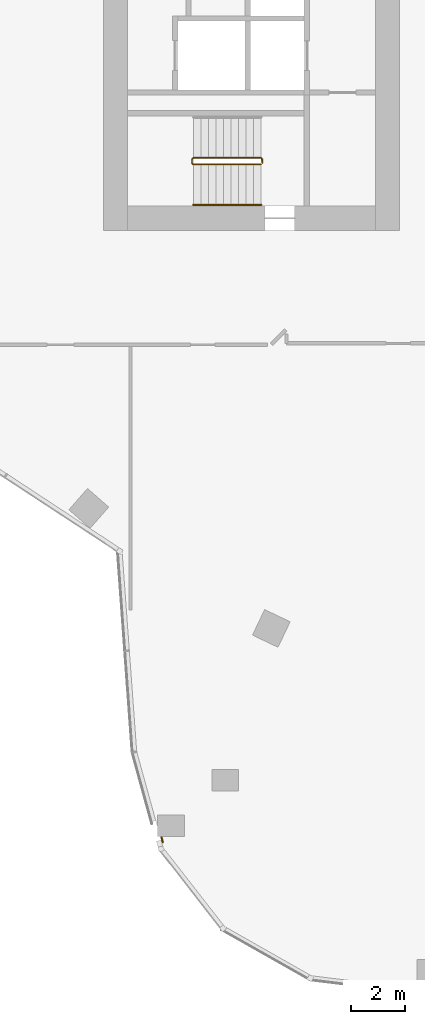
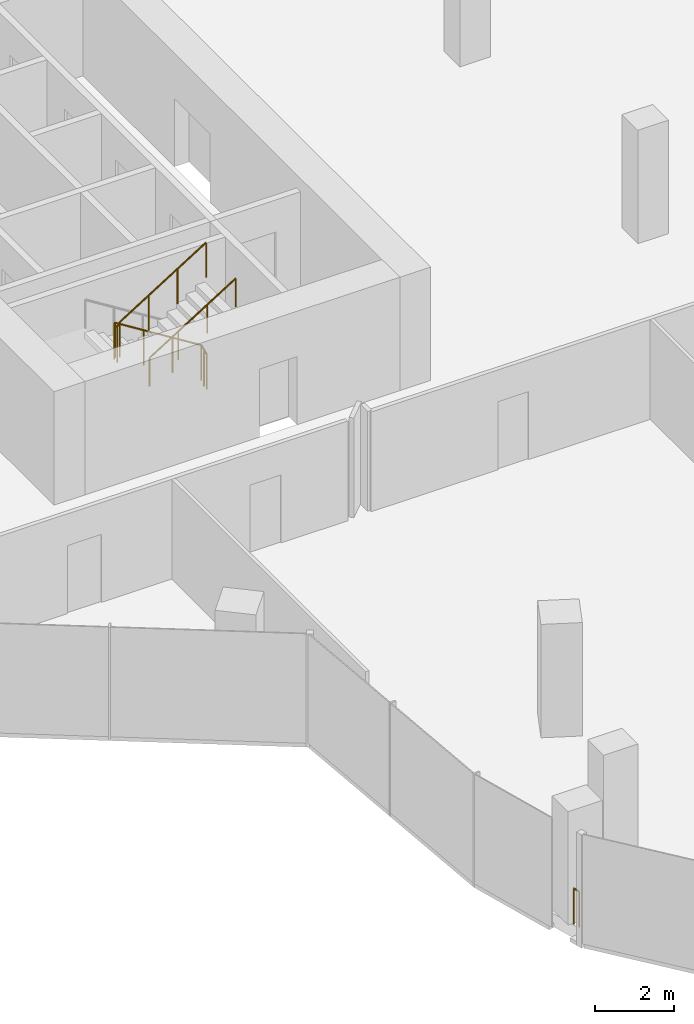
# One storey, part 22 of 24: 3 railings.
"""IFC4 building model written with IfcOpenShell, lengths in metres."""

import ifcopenshell
import ifcopenshell.guid

model = None  # the IFC model being written
_history = None  # IfcOwnerHistory: only IFC2X3 demands one
_inside = {}  # id of a spatial element -> (the spatial element, [elements in it])
_under = {}  # id of a project, library or spatial element -> (it, [spatial elements below it])
_declared = {}  # id of a project -> (the project, [libraries it declares])
_typed = {}  # id of a type object -> (the type object, [elements of that type])
_made_of = {}  # id of a material, layer set ... -> (it, [elements and type objects made of it])


def new_model(schema):
    """Start an empty IFC model of exactly this schema.

    Asked for "IFC4X3", IfcOpenShell would pick the latest addendum, in which some entities
    have other attributes; the version numbers below select the first issue.
    IFC2X3 requires an IfcOwnerHistory on every rooted entity: one is made here for all.
    """
    global model, _history
    if schema == "IFC4X3":
        model = ifcopenshell.file(schema_version=(4, 3, 0, 0))
    else:
        model = ifcopenshell.file(schema=schema)
    _inside.clear()
    _under.clear()
    _declared.clear()
    _typed.clear()
    _made_of.clear()
    _history = None
    if model.schema == "IFC2X3":
        org = make("IfcOrganization", Name="unknown")
        user = make(
            "IfcPersonAndOrganization",
            ThePerson=make("IfcPerson", FamilyName="unknown"),
            TheOrganization=org,
        )
        app = make(
            "IfcApplication",
            ApplicationDeveloper=org,
            Version="unknown",
            ApplicationFullName="unknown",
            ApplicationIdentifier="unknown",
        )
        _history = make(
            "IfcOwnerHistory",
            OwningUser=user,
            OwningApplication=app,
            ChangeAction="ADDED",
            CreationDate=0,
        )
    return model


def make(cls, **values):
    """One entity of the class cls with the attributes given. An attribute that is None is left unset."""
    return model.create_entity(
        cls, **{name: value for name, value in values.items() if value is not None}
    )


def rooted(cls, **values):
    """An entity with a GlobalId (a new one), such as an element, a storey or a relation."""
    return make(cls, GlobalId=ifcopenshell.guid.new(), OwnerHistory=_history, **values)


def si_unit(unit_type, name, prefix=None):
    """IfcSIUnit, for example si_unit("LENGTHUNIT", "METRE", prefix="MILLI")."""
    return make("IfcSIUnit", UnitType=unit_type, Prefix=prefix, Name=name)


def assignment(units):
    """IfcUnitAssignment: the units of a project."""
    return None if units is None else make("IfcUnitAssignment", Units=units)


def point(xyz):
    """IfcCartesianPoint."""
    return None if xyz is None else make("IfcCartesianPoint", Coordinates=xyz)


def direction(xyz):
    """IfcDirection."""
    return None if xyz is None else make("IfcDirection", DirectionRatios=xyz)


def frame(location, z_axis=None, x_axis=None):
    """IfcAxis2Placement3D, a coordinate frame: its origin and axes. An axis left out is left unset."""
    return make(
        "IfcAxis2Placement3D",
        Location=point(location),
        Axis=direction(z_axis),
        RefDirection=direction(x_axis),
    )


def frame_2d(location, x_axis=None):
    """IfcAxis2Placement2D, a coordinate frame in the plane: its origin and x axis."""
    return make(
        "IfcAxis2Placement2D", Location=point(location), RefDirection=direction(x_axis)
    )


def origin():
    """The frame at (0, 0, 0) with its axes left unset."""
    return frame((0.0, 0.0, 0.0))


def origin_2d():
    """The frame at (0, 0) in the plane with its x axis left unset."""
    return frame_2d((0.0, 0.0))


def place(relative_to, where):
    """IfcLocalPlacement: puts the frame where relative to a parent placement (None: the world)."""
    return make(
        "IfcLocalPlacement", PlacementRelTo=relative_to, RelativePlacement=where
    )


def context(
    kind, dimensions, precision=None, world=None, true_north=None, identifier=None
):
    """IfcGeometricRepresentationContext, for example the 3D "Model" context."""
    return make(
        "IfcGeometricRepresentationContext",
        ContextIdentifier=identifier,
        ContextType=kind,
        CoordinateSpaceDimension=dimensions,
        Precision=precision,
        WorldCoordinateSystem=world,
        TrueNorth=true_north,
    )


def subcontext(parent, identifier, kind, view, scale=None):
    """IfcGeometricRepresentationSubContext, for example "Body" below "Model"."""
    return make(
        "IfcGeometricRepresentationSubContext",
        ContextIdentifier=identifier,
        ContextType=kind,
        ParentContext=parent,
        TargetScale=scale,
        TargetView=view,
    )


def project(units=None, contexts=None):
    """IfcProject with its units and contexts."""
    return rooted(
        "IfcProject",
        Name="project",
        RepresentationContexts=contexts,
        UnitsInContext=assignment(units),
    )


def spatial(cls, under=None, at=None, **own):
    """A site, building, storey or space (cls), placed at a placement, below another one or the project."""
    s = rooted(cls, ObjectPlacement=at, **own)
    if under is not None:
        _under.setdefault(under.id(), (under, []))[1].append(s)
    return s


def profile(cls, at=None, kind="AREA", **sizes):
    """A parametric profile (cls). Its sizes go by their IFC names, for example OverallWidth=200.0."""
    return make(cls, ProfileType=kind, Position=at, **sizes)


def circle(**sizes):
    """IfcCircleProfileDef."""
    return profile("IfcCircleProfileDef", **sizes)


def extrude(swept, where, along, depth):
    """IfcExtrudedAreaSolid: the profile swept, set in the frame where, extruded along a direction by depth."""
    return make(
        "IfcExtrudedAreaSolid",
        SweptArea=swept,
        Position=where,
        ExtrudedDirection=direction(along),
        Depth=depth,
    )


def shape(context_of_items, identifier, shape_type, items):
    """IfcShapeRepresentation: the items that make up one representation, for example the "Body"."""
    return make(
        "IfcShapeRepresentation",
        ContextOfItems=context_of_items,
        RepresentationIdentifier=identifier,
        RepresentationType=shape_type,
        Items=items,
    )


def material(Name=None, Category=None):
    """IfcMaterial."""
    return make("IfcMaterial", Name=Name, Category=Category)


def made_of(thing, what):
    """Note that an element or type object is made of a material, layer set ...; save() writes the relation."""
    if what is not None:
        _made_of.setdefault(what.id(), (what, []))[1].append(thing)
    return thing


def type_object(cls, material=None, **own):
    """A type object (cls), such as IfcWallType, which elements share."""
    return made_of(rooted(cls, **own), material)


def element(
    cls,
    number,
    at=None,
    inside=None,
    cuts=None,
    type_object=None,
    material=None,
    context=None,
    identifier="Body",
    shape_type=None,
    held_by="IfcProductDefinitionShape",
    body=None,
    shapes=None,
    **own,
):
    """One element of the class cls, such as IfcWall. Its Tag is "e" and its number.

    at: its placement. inside: the storey or other place that contains it. cuts: it is an
    opening in that element (IfcRelVoidsElement). A single representation is given by context,
    identifier, shape_type and body (its items); several are given by shapes. held_by: the class
    of the entity that holds the representations. save() writes the other relations.
    """
    e = rooted(cls, Tag="e%d" % number, ObjectPlacement=at, **own)
    if body is not None:
        shapes = [shape(context, identifier, shape_type, body)]
    if shapes is not None:
        e.Representation = make(held_by, Representations=shapes)
    if inside is not None:
        _inside.setdefault(inside.id(), (inside, []))[1].append(e)
    if cuts is not None:
        rooted(
            "IfcRelVoidsElement", RelatingBuildingElement=cuts, RelatedOpeningElement=e
        )
    if type_object is not None:
        _typed.setdefault(type_object.id(), (type_object, []))[1].append(e)
    return made_of(e, material)


def aggregate(whole, parts):
    """IfcRelAggregates: a whole, such as a stair, and the parts it consists of."""
    return rooted("IfcRelAggregates", RelatingObject=whole, RelatedObjects=parts)


def save(model, path):
    """Write the relations noted so far, then the file.

    IfcRelAggregates (storeys below a building ...), IfcRelContainedInSpatialStructure (elements
    in a storey), IfcRelDefinesByType, IfcRelAssociatesMaterial and IfcRelDeclares: one each for
    every whole, place, type object, material and project.
    """
    for whole, parts in _under.values():
        aggregate(whole, parts)
    for where, things in _inside.values():
        rooted(
            "IfcRelContainedInSpatialStructure",
            RelatedElements=things,
            RelatingStructure=where,
        )
    for kind, things in _typed.values():
        rooted("IfcRelDefinesByType", RelatedObjects=things, RelatingType=kind)
    for what, things in _made_of.values():
        rooted("IfcRelAssociatesMaterial", RelatedObjects=things, RelatingMaterial=what)
    for by, libraries in _declared.values():
        rooted("IfcRelDeclares", RelatingContext=by, RelatedDefinitions=libraries)
    model.write(path)


model = new_model("IFC4")

# Units and contexts
model_context = context("Model", 3, precision=1e-05, world=origin(), true_north=direction((0.0, 1.0)))
body_context = subcontext(model_context, "Body", "Model", "MODEL_VIEW")
ifc_project = project(units=[si_unit("LENGTHUNIT", "METRE"), si_unit("AREAUNIT", "SQUARE_METRE"), si_unit("VOLUMEUNIT", "CUBIC_METRE"), si_unit("PLANEANGLEUNIT", "RADIAN"), si_unit("MASSUNIT", "GRAM", prefix="KILO")], contexts=[model_context])

# Site, building, storey
site_placement = place(None, origin())
site = spatial("IfcSite", under=ifc_project, at=site_placement, CompositionType="ELEMENT")
building_placement = place(site_placement, origin())
building = spatial("IfcBuilding", under=site, at=building_placement, Name="Orlundy Tower", CompositionType="ELEMENT")
storey_placement = place(building_placement, frame((0.0, 0.0, 239.0)))
storey = spatial("IfcBuildingStorey", under=building, at=storey_placement, Name="L63", CompositionType="ELEMENT", Elevation=239.0)

# Railings
ifc_material_1 = material(Name="Steel balustrade", Category="steel")
railing_type_1 = type_object("IfcRailingType", Name="Stair Guard 1100", PredefinedType="GUARDRAIL", material=ifc_material_1)
railing_1_placement = place(storey_placement, frame((-13.090087890625, -9.35009765625, 0.0)))
element("IfcRailing", 1, at=railing_1_placement, inside=storey, type_object=railing_type_1, Name="L63 ST-W2 stair guard 1", PredefinedType="GUARDRAIL", context=body_context, shape_type="SweptSolid", body=[
    extrude(circle(Radius=0.02392578125, at=origin_2d()), frame((0.0, 0.0, 1.076171875), z_axis=(0.0, -1.0, 0.0), x_axis=(1.0, 0.0, 0.0)), (0.0, 0.0, 1.0), 0.14990234375),
    extrude(circle(Radius=0.02392578125, at=origin_2d()), frame((0.0, -0.14990234375, 1.076171875), z_axis=(-0.18420542264, 0.739530593833, 0.647427882513), x_axis=(-0.970351222016, -0.241699205484, 0.0)), (0.0, 0.0, 1.0), 0.270263671875),
    extrude(circle(Radius=0.02392578125, at=origin_2d()), frame((-0.0498046875, 0.050048828125, 1.2509765625), z_axis=(-0.848007534815, 0.0, 0.529984170421), x_axis=(0.0, -1.0, 0.0)), (0.0, 0.0, 1.0), 2.9716796875),
    extrude(circle(Radius=0.02392578125, at=origin_2d()), frame((-2.56982421875, 0.050048828125, 2.826171875), z_axis=(-0.707106781187, -0.707106781187, 0.0), x_axis=(0.707106781187, -0.707106781187, 0.0)), (0.0, 0.0, 1.0), 0.07080078125),
    extrude(circle(Radius=0.02392578125, at=origin_2d()), frame((-2.619873046875, 0.0, 2.826171875), z_axis=(0.0, -1.0, 0.0), x_axis=(1.0, 0.0, 0.0)), (0.0, 0.0, 1.0), 0.14990234375),
    extrude(circle(Radius=0.02392578125, at=origin_2d()), frame((-2.619873046875, -0.14990234375, 2.826171875), z_axis=(0.265065253269, -0.265065253269, 0.927081885822), x_axis=(0.707106781187, 0.707106781187, 0.0)), (0.0, 0.0, 1.0), 0.188720703125),
    extrude(circle(Radius=0.02392578125, at=origin_2d()), frame((-2.56982421875, -0.199951171875, 3.0009765625), z_axis=(0.848007534815, 0.0, 0.529984170421), x_axis=(0.0, 1.0, 0.0)), (0.0, 0.0, 1.0), 2.9716796875),
    extrude(circle(Radius=0.02099609375, at=origin_2d()), origin(), (0.0, 0.0, 1.0), 1.052001953125),
    extrude(circle(Radius=0.02099609375, at=origin_2d()), frame((0.0, -0.14990234375, 0.0)), (0.0, 0.0, 1.0), 1.052001953125),
    extrude(circle(Radius=0.02099609375, at=origin_2d()), frame((-0.0498046875, 0.050048828125, 0.175048828125)), (0.0, 0.0, 1.0), 1.052001953125),
    extrude(circle(Radius=0.02099609375, at=origin_2d()), frame((-0.889892578125, 0.050048828125, 0.699951171875)), (0.0, 0.0, 1.0), 1.052001953125),
    extrude(circle(Radius=0.02099609375, at=origin_2d()), frame((-1.729736328125, 0.050048828125, 1.22509765625)), (0.0, 0.0, 1.0), 1.052001953125),
    extrude(circle(Radius=0.02099609375, at=origin_2d()), frame((-2.56982421875, 0.050048828125, 1.75)), (0.0, 0.0, 1.0), 1.052001953125),
    extrude(circle(Radius=0.02099609375, at=origin_2d()), frame((-2.619873046875, 0.0, 1.75)), (0.0, 0.0, 1.0), 1.052001953125),
    extrude(circle(Radius=0.02099609375, at=origin_2d()), frame((-2.619873046875, -0.14990234375, 1.75)), (0.0, 0.0, 1.0), 1.052001953125),
    extrude(circle(Radius=0.02099609375, at=origin_2d()), frame((-2.56982421875, -0.199951171875, 1.925048828125)), (0.0, 0.0, 1.0), 1.052001953125),
    extrude(circle(Radius=0.02099609375, at=origin_2d()), frame((-1.729736328125, -0.199951171875, 2.449951171875)), (0.0, 0.0, 1.0), 1.052001953125),
    extrude(circle(Radius=0.02099609375, at=origin_2d()), frame((-0.889892578125, -0.199951171875, 2.97509765625)), (0.0, 0.0, 1.0), 1.052001953125),
    extrude(circle(Radius=0.02099609375, at=origin_2d()), frame((-0.0498046875, -0.199951171875, 3.5)), (0.0, 0.0, 1.0), 1.052001953125),
])
ifc_material_2 = material(Name="Steel handrail", Category="steel")
railing_type_2 = type_object("IfcRailingType", Name="Stair Handrail 900", PredefinedType="HANDRAIL", material=ifc_material_2)
railing_2_placement = place(storey_placement, frame((-15.659912109375, -11.050048828125, 1.925048828125)))
element("IfcRailing", 2, at=railing_2_placement, inside=storey, type_object=railing_type_2, Name="L63 ST-W2 stair handrail 2", PredefinedType="HANDRAIL", context=body_context, shape_type="SweptSolid", body=[
    extrude(circle(Radius=0.02392578125, at=origin_2d()), frame((0.0, 0.0, 0.8759765625), z_axis=(0.848007534815, 0.0, 0.529984170421), x_axis=(0.0, 1.0, 0.0)), (0.0, 0.0, 1.0), 2.9716796875),
    extrude(circle(Radius=0.02099609375, at=origin_2d()), origin(), (0.0, 0.0, 1.0), 0.851806640625),
    extrude(circle(Radius=0.02099609375, at=origin_2d()), frame((0.840087890625, 0.0, 0.52490234375)), (0.0, 0.0, 1.0), 0.851806640625),
    extrude(circle(Radius=0.02099609375, at=origin_2d()), frame((1.679931640625, 0.0, 1.050048828125)), (0.0, 0.0, 1.0), 0.851806640625),
    extrude(circle(Radius=0.02099609375, at=origin_2d()), frame((2.52001953125, 0.0, 1.574951171875)), (0.0, 0.0, 1.0), 0.851806640625),
])
ifc_material_3 = material(Name="Stainless steel bronze finish", Category="steel")
railing_type_3 = type_object("IfcRailingType", Name="TG1 terrace guard", PredefinedType="GUARDRAIL", material=ifc_material_3)
railing_3_placement = place(storey_placement, frame((-16.796630859375, -34.74365234375, 0.0)))
element("IfcRailing", 3, at=railing_3_placement, inside=storey, type_object=railing_type_3, Name="Guard TG-L63-E00", PredefinedType="GUARDRAIL", context=body_context, shape_type="SweptSolid", body=[
    extrude(circle(Radius=0.02490234375, at=origin_2d()), frame((0.0, 0.0, 1.09521484375), z_axis=(-0.265638326664, 0.964072756283, 0.0), x_axis=(-0.964072756283, -0.265638326664, 0.0)), (0.0, 0.0, 1.0), 0.1884765625),
    extrude(circle(Radius=0.02001953125, at=origin_2d()), origin(), (0.0, 0.0, 1.0), 1.070068359375),
    extrude(circle(Radius=0.02001953125, at=origin_2d()), frame((-0.050048828125, 0.181640625, 0.0)), (0.0, 0.0, 1.0), 1.070068359375),
])

save(model, "model.ifc")
